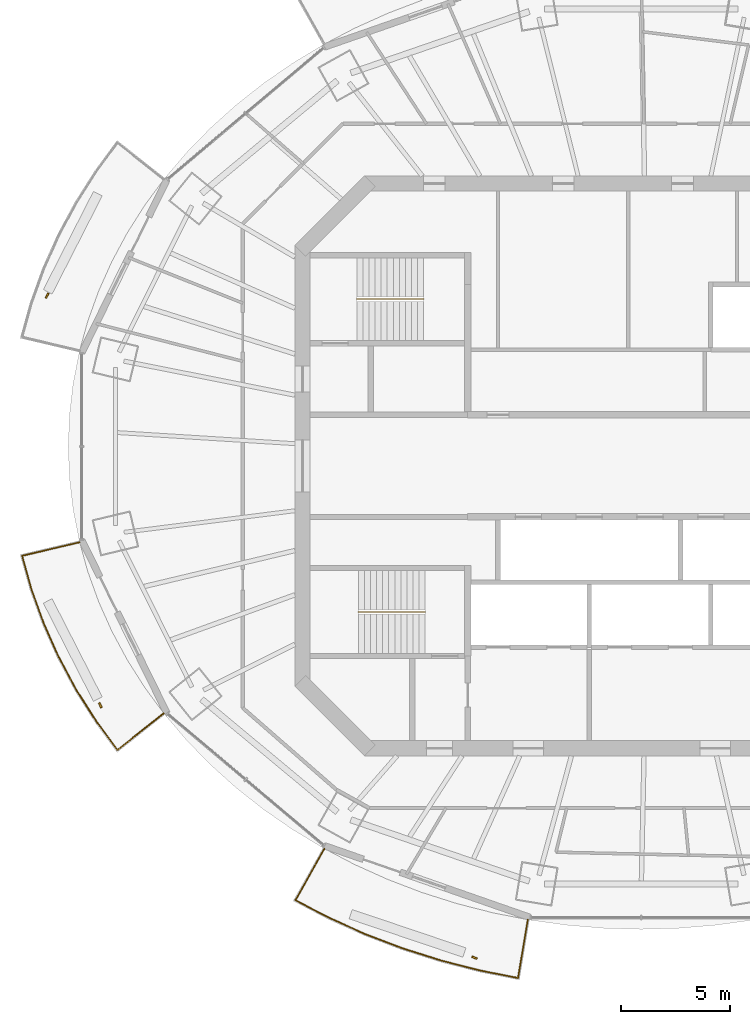
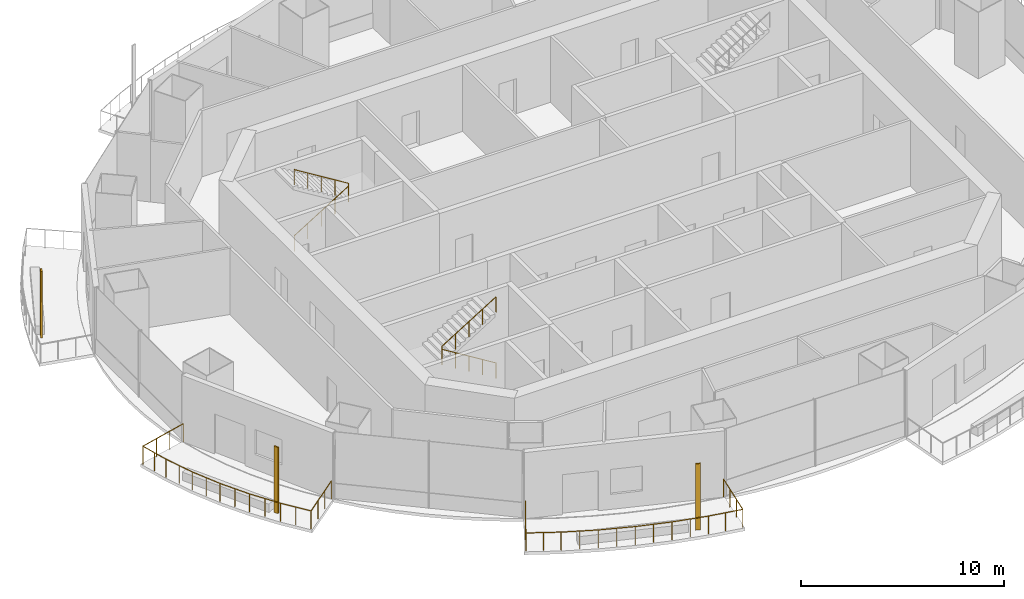
# One storey, part 12 of 16: 4 railings, 3 shading devices.
"""IFC4 building model written with IfcOpenShell, lengths in metres."""

import ifcopenshell
import ifcopenshell.guid

model = None  # the IFC model being written
_history = None  # IfcOwnerHistory: only IFC2X3 demands one
_inside = {}  # id of a spatial element -> (the spatial element, [elements in it])
_under = {}  # id of a project, library or spatial element -> (it, [spatial elements below it])
_declared = {}  # id of a project -> (the project, [libraries it declares])
_typed = {}  # id of a type object -> (the type object, [elements of that type])
_made_of = {}  # id of a material, layer set ... -> (it, [elements and type objects made of it])


def new_model(schema):
    """Start an empty IFC model of exactly this schema.

    Asked for "IFC4X3", IfcOpenShell would pick the latest addendum, in which some entities
    have other attributes; the version numbers below select the first issue.
    IFC2X3 requires an IfcOwnerHistory on every rooted entity: one is made here for all.
    """
    global model, _history
    if schema == "IFC4X3":
        model = ifcopenshell.file(schema_version=(4, 3, 0, 0))
    else:
        model = ifcopenshell.file(schema=schema)
    _inside.clear()
    _under.clear()
    _declared.clear()
    _typed.clear()
    _made_of.clear()
    _history = None
    if model.schema == "IFC2X3":
        org = make("IfcOrganization", Name="unknown")
        user = make(
            "IfcPersonAndOrganization",
            ThePerson=make("IfcPerson", FamilyName="unknown"),
            TheOrganization=org,
        )
        app = make(
            "IfcApplication",
            ApplicationDeveloper=org,
            Version="unknown",
            ApplicationFullName="unknown",
            ApplicationIdentifier="unknown",
        )
        _history = make(
            "IfcOwnerHistory",
            OwningUser=user,
            OwningApplication=app,
            ChangeAction="ADDED",
            CreationDate=0,
        )
    return model


def make(cls, **values):
    """One entity of the class cls with the attributes given. An attribute that is None is left unset."""
    return model.create_entity(
        cls, **{name: value for name, value in values.items() if value is not None}
    )


def rooted(cls, **values):
    """An entity with a GlobalId (a new one), such as an element, a storey or a relation."""
    return make(cls, GlobalId=ifcopenshell.guid.new(), OwnerHistory=_history, **values)


def si_unit(unit_type, name, prefix=None):
    """IfcSIUnit, for example si_unit("LENGTHUNIT", "METRE", prefix="MILLI")."""
    return make("IfcSIUnit", UnitType=unit_type, Prefix=prefix, Name=name)


def assignment(units):
    """IfcUnitAssignment: the units of a project."""
    return None if units is None else make("IfcUnitAssignment", Units=units)


def point(xyz):
    """IfcCartesianPoint."""
    return None if xyz is None else make("IfcCartesianPoint", Coordinates=xyz)


def direction(xyz):
    """IfcDirection."""
    return None if xyz is None else make("IfcDirection", DirectionRatios=xyz)


def frame(location, z_axis=None, x_axis=None):
    """IfcAxis2Placement3D, a coordinate frame: its origin and axes. An axis left out is left unset."""
    return make(
        "IfcAxis2Placement3D",
        Location=point(location),
        Axis=direction(z_axis),
        RefDirection=direction(x_axis),
    )


def frame_2d(location, x_axis=None):
    """IfcAxis2Placement2D, a coordinate frame in the plane: its origin and x axis."""
    return make(
        "IfcAxis2Placement2D", Location=point(location), RefDirection=direction(x_axis)
    )


def origin():
    """The frame at (0, 0, 0) with its axes left unset."""
    return frame((0.0, 0.0, 0.0))


def origin_2d():
    """The frame at (0, 0) in the plane with its x axis left unset."""
    return frame_2d((0.0, 0.0))


def place(relative_to, where):
    """IfcLocalPlacement: puts the frame where relative to a parent placement (None: the world)."""
    return make(
        "IfcLocalPlacement", PlacementRelTo=relative_to, RelativePlacement=where
    )


def context(
    kind, dimensions, precision=None, world=None, true_north=None, identifier=None
):
    """IfcGeometricRepresentationContext, for example the 3D "Model" context."""
    return make(
        "IfcGeometricRepresentationContext",
        ContextIdentifier=identifier,
        ContextType=kind,
        CoordinateSpaceDimension=dimensions,
        Precision=precision,
        WorldCoordinateSystem=world,
        TrueNorth=true_north,
    )


def subcontext(parent, identifier, kind, view, scale=None):
    """IfcGeometricRepresentationSubContext, for example "Body" below "Model"."""
    return make(
        "IfcGeometricRepresentationSubContext",
        ContextIdentifier=identifier,
        ContextType=kind,
        ParentContext=parent,
        TargetScale=scale,
        TargetView=view,
    )


def project(units=None, contexts=None):
    """IfcProject with its units and contexts."""
    return rooted(
        "IfcProject",
        Name="project",
        RepresentationContexts=contexts,
        UnitsInContext=assignment(units),
    )


def spatial(cls, under=None, at=None, **own):
    """A site, building, storey or space (cls), placed at a placement, below another one or the project."""
    s = rooted(cls, ObjectPlacement=at, **own)
    if under is not None:
        _under.setdefault(under.id(), (under, []))[1].append(s)
    return s


def profile(cls, at=None, kind="AREA", **sizes):
    """A parametric profile (cls). Its sizes go by their IFC names, for example OverallWidth=200.0."""
    return make(cls, ProfileType=kind, Position=at, **sizes)


def rectangle(**sizes):
    """IfcRectangleProfileDef."""
    return profile("IfcRectangleProfileDef", **sizes)


def circle(**sizes):
    """IfcCircleProfileDef."""
    return profile("IfcCircleProfileDef", **sizes)


def extrude(swept, where, along, depth):
    """IfcExtrudedAreaSolid: the profile swept, set in the frame where, extruded along a direction by depth."""
    return make(
        "IfcExtrudedAreaSolid",
        SweptArea=swept,
        Position=where,
        ExtrudedDirection=direction(along),
        Depth=depth,
    )


def shape(context_of_items, identifier, shape_type, items):
    """IfcShapeRepresentation: the items that make up one representation, for example the "Body"."""
    return make(
        "IfcShapeRepresentation",
        ContextOfItems=context_of_items,
        RepresentationIdentifier=identifier,
        RepresentationType=shape_type,
        Items=items,
    )


def material(Name=None, Category=None):
    """IfcMaterial."""
    return make("IfcMaterial", Name=Name, Category=Category)


def material_profile(
    of_material, cross_section, Name=None, Category=None, Priority=None
):
    """IfcMaterialProfile: a cross section and its material."""
    return make(
        "IfcMaterialProfile",
        Name=Name,
        Material=of_material,
        Profile=cross_section,
        Priority=Priority,
        Category=Category,
    )


def profile_set(profiles, Name=None, composite=None):
    """IfcMaterialProfileSet."""
    return make(
        "IfcMaterialProfileSet",
        Name=Name,
        MaterialProfiles=profiles,
        CompositeProfile=composite,
    )


def made_of(thing, what):
    """Note that an element or type object is made of a material, layer set ...; save() writes the relation."""
    if what is not None:
        _made_of.setdefault(what.id(), (what, []))[1].append(thing)
    return thing


def type_object(cls, material=None, **own):
    """A type object (cls), such as IfcWallType, which elements share."""
    return made_of(rooted(cls, **own), material)


def element(
    cls,
    number,
    at=None,
    inside=None,
    cuts=None,
    type_object=None,
    material=None,
    context=None,
    identifier="Body",
    shape_type=None,
    held_by="IfcProductDefinitionShape",
    body=None,
    shapes=None,
    **own,
):
    """One element of the class cls, such as IfcWall. Its Tag is "e" and its number.

    at: its placement. inside: the storey or other place that contains it. cuts: it is an
    opening in that element (IfcRelVoidsElement). A single representation is given by context,
    identifier, shape_type and body (its items); several are given by shapes. held_by: the class
    of the entity that holds the representations. save() writes the other relations.
    """
    e = rooted(cls, Tag="e%d" % number, ObjectPlacement=at, **own)
    if body is not None:
        shapes = [shape(context, identifier, shape_type, body)]
    if shapes is not None:
        e.Representation = make(held_by, Representations=shapes)
    if inside is not None:
        _inside.setdefault(inside.id(), (inside, []))[1].append(e)
    if cuts is not None:
        rooted(
            "IfcRelVoidsElement", RelatingBuildingElement=cuts, RelatedOpeningElement=e
        )
    if type_object is not None:
        _typed.setdefault(type_object.id(), (type_object, []))[1].append(e)
    return made_of(e, material)


def aggregate(whole, parts):
    """IfcRelAggregates: a whole, such as a stair, and the parts it consists of."""
    return rooted("IfcRelAggregates", RelatingObject=whole, RelatedObjects=parts)


def save(model, path):
    """Write the relations noted so far, then the file.

    IfcRelAggregates (storeys below a building ...), IfcRelContainedInSpatialStructure (elements
    in a storey), IfcRelDefinesByType, IfcRelAssociatesMaterial and IfcRelDeclares: one each for
    every whole, place, type object, material and project.
    """
    for whole, parts in _under.values():
        aggregate(whole, parts)
    for where, things in _inside.values():
        rooted(
            "IfcRelContainedInSpatialStructure",
            RelatedElements=things,
            RelatingStructure=where,
        )
    for kind, things in _typed.values():
        rooted("IfcRelDefinesByType", RelatedObjects=things, RelatingType=kind)
    for what, things in _made_of.values():
        rooted("IfcRelAssociatesMaterial", RelatedObjects=things, RelatingMaterial=what)
    for by, libraries in _declared.values():
        rooted("IfcRelDeclares", RelatingContext=by, RelatedDefinitions=libraries)
    model.write(path)


model = new_model("IFC4")

# Units and contexts
model_context = context("Model", 3, precision=1e-05, world=origin(), true_north=direction((0.0, 1.0)))
body_context = subcontext(model_context, "Body", "Model", "MODEL_VIEW")
ifc_project = project(units=[si_unit("LENGTHUNIT", "METRE"), si_unit("AREAUNIT", "SQUARE_METRE"), si_unit("VOLUMEUNIT", "CUBIC_METRE"), si_unit("PLANEANGLEUNIT", "RADIAN"), si_unit("MASSUNIT", "GRAM", prefix="KILO")], contexts=[model_context])

# Site, building, storey
site_placement = place(None, origin())
site = spatial("IfcSite", under=ifc_project, at=site_placement, CompositionType="ELEMENT")
building_placement = place(site_placement, origin())
building = spatial("IfcBuilding", under=site, at=building_placement, Name="Marenthal Gate Tower", CompositionType="ELEMENT")
storey_placement = place(building_placement, frame((0.0, 0.0, 359.199951171875)))
storey = spatial("IfcBuildingStorey", under=building, at=storey_placement, Name="L81", CompositionType="ELEMENT", Elevation=359.199951171875)

# Railings
ifc_material_1 = material(Name="Stainless steel", Category="steel")
railing_type_1 = type_object("IfcRailingType", Name="Balcony guard 1100", PredefinedType="GUARDRAIL", material=ifc_material_1)
railing_1_placement = place(storey_placement, frame((-22.387939453125, -11.38818359375, 0.0)))
element("IfcRailing", 1, at=railing_1_placement, inside=storey, type_object=railing_type_1, Name="Balcony guard L81 bay 9", PredefinedType="GUARDRAIL", context=body_context, shape_type="SweptSolid", body=[
    extrude(circle(Radius=0.02392578125, at=origin_2d()), frame((0.0, 0.0, 1.076171875), z_axis=(-0.783769769253, -0.620877048402, -0.014718681113), x_axis=(0.6209443126, -0.783854680824, 0.0)), (0.0, 0.0, 1.0), 2.72021484375),
    extrude(circle(Radius=0.02392578125, at=origin_2d()), frame((-2.132080078125, -1.68896484375, 1.0361328125), z_axis=(-0.59246977966, 0.805592676351, 0.0), x_axis=(-0.805592676351, -0.59246977966, 0.0)), (0.0, 0.0, 1.0), 1.64501953125),
    extrude(circle(Radius=0.02392578125, at=origin_2d()), frame((-3.106689453125, -0.36376953125, 1.0361328125), z_axis=(-0.535611442073, 0.844464554093, 0.0), x_axis=(-0.844464554093, -0.535611442073, 0.0)), (0.0, 0.0, 1.0), 1.712890625),
    extrude(circle(Radius=0.02392578125, at=origin_2d()), frame((-4.024169921875, 1.082763671875, 1.0361328125), z_axis=(-0.473526582877, 0.880779527072, 0.0), x_axis=(-0.880779527072, -0.473526582877, 0.0)), (0.0, 0.0, 1.0), 1.701904296875),
    extrude(circle(Radius=0.02392578125, at=origin_2d()), frame((-4.830078125, 2.581787109375, 1.0361328125), z_axis=(-0.407891440558, 0.913030433622, 0.0), x_axis=(-0.913030433622, -0.407891440558, 0.0)), (0.0, 0.0, 1.0), 1.692138671875),
    extrude(circle(Radius=0.02392578125, at=origin_2d()), frame((-5.520263671875, 4.126708984375, 1.0361328125), z_axis=(-0.338585961957, 0.940935463443, 0.0), x_axis=(-0.940935463443, -0.338585961957, 0.0)), (0.0, 0.0, 1.0), 1.68359375),
    extrude(circle(Radius=0.02392578125, at=origin_2d()), frame((-6.09033203125, 5.7109375, 1.0361328125), z_axis=(-0.268495452575, 0.96328095172, 0.0), x_axis=(-0.96328095172, -0.268495452575, 0.0)), (0.0, 0.0, 1.0), 1.5966796875),
    extrude(circle(Radius=0.02392578125, at=origin_2d()), frame((-6.51904296875, 7.2490234375, 1.0361328125), z_axis=(0.973202156383, 0.229479704341, 0.014718291557), x_axis=(-0.229504564257, 0.973307584983, 0.0)), (0.0, 0.0, 1.0), 2.720458984375),
    extrude(circle(Radius=0.02099609375, at=origin_2d()), origin(), (0.0, 0.0, 1.0), 1.052001953125),
    extrude(circle(Radius=0.02099609375, at=origin_2d()), frame((-0.710693359375, -0.56298828125, -0.013427734375)), (0.0, 0.0, 1.0), 1.052001953125),
    extrude(circle(Radius=0.02099609375, at=origin_2d()), frame((-1.42138671875, -1.1259765625, -0.026611328125)), (0.0, 0.0, 1.0), 1.052001953125),
    extrude(circle(Radius=0.02099609375, at=origin_2d()), frame((-2.132080078125, -1.68896484375, -0.0400390625)), (0.0, 0.0, 1.0), 1.052001953125),
    extrude(circle(Radius=0.02099609375, at=origin_2d()), frame((-2.619384765625, -1.0263671875, -0.0400390625)), (0.0, 0.0, 1.0), 1.052001953125),
    extrude(circle(Radius=0.02099609375, at=origin_2d()), frame((-3.106689453125, -0.36376953125, -0.0400390625)), (0.0, 0.0, 1.0), 1.052001953125),
    extrude(circle(Radius=0.02099609375, at=origin_2d()), frame((-3.5654296875, 0.359375, -0.0400390625)), (0.0, 0.0, 1.0), 1.052001953125),
    extrude(circle(Radius=0.02099609375, at=origin_2d()), frame((-4.024169921875, 1.082763671875, -0.0400390625)), (0.0, 0.0, 1.0), 1.052001953125),
    extrude(circle(Radius=0.02099609375, at=origin_2d()), frame((-4.42724609375, 1.832275390625, -0.0400390625)), (0.0, 0.0, 1.0), 1.052001953125),
    extrude(circle(Radius=0.02099609375, at=origin_2d()), frame((-4.830078125, 2.581787109375, -0.0400390625)), (0.0, 0.0, 1.0), 1.052001953125),
    extrude(circle(Radius=0.02099609375, at=origin_2d()), frame((-5.17529296875, 3.354248046875, -0.0400390625)), (0.0, 0.0, 1.0), 1.052001953125),
    extrude(circle(Radius=0.02099609375, at=origin_2d()), frame((-5.520263671875, 4.126708984375, -0.0400390625)), (0.0, 0.0, 1.0), 1.052001953125),
    extrude(circle(Radius=0.02099609375, at=origin_2d()), frame((-5.80517578125, 4.9189453125, -0.0400390625)), (0.0, 0.0, 1.0), 1.052001953125),
    extrude(circle(Radius=0.02099609375, at=origin_2d()), frame((-6.09033203125, 5.7109375, -0.0400390625)), (0.0, 0.0, 1.0), 1.052001953125),
    extrude(circle(Radius=0.02099609375, at=origin_2d()), frame((-6.3046875, 6.47998046875, -0.0400390625)), (0.0, 0.0, 1.0), 1.052001953125),
    extrude(circle(Radius=0.02099609375, at=origin_2d()), frame((-6.51904296875, 7.2490234375, -0.0400390625)), (0.0, 0.0, 1.0), 1.052001953125),
    extrude(circle(Radius=0.02099609375, at=origin_2d()), frame((-5.636474609375, 7.45703125, -0.026611328125)), (0.0, 0.0, 1.0), 1.052001953125),
    extrude(circle(Radius=0.02099609375, at=origin_2d()), frame((-4.754150390625, 7.665283203125, -0.013427734375)), (0.0, 0.0, 1.0), 1.052001953125),
    extrude(circle(Radius=0.02099609375, at=origin_2d()), frame((-3.87158203125, 7.873291015625, 0.0)), (0.0, 0.0, 1.0), 1.052001953125),
])
railing_2_placement = place(storey_placement, frame((-5.62646484375, -20.890625, 0.0)))
element("IfcRailing", 2, at=railing_2_placement, inside=storey, type_object=railing_type_1, Name="Balcony guard L81 bay 11", PredefinedType="GUARDRAIL", context=body_context, shape_type="SweptSolid", body=[
    extrude(circle(Radius=0.02392578125, at=origin_2d()), frame((0.0, 0.0, 1.076171875), z_axis=(-0.165414456926, -0.986114290962, -0.01471946334), x_axis=(0.986221135368, -0.165432379401, 0.0)), (0.0, 0.0, 1.0), 2.72021484375),
    extrude(circle(Radius=0.02392578125, at=origin_2d()), frame((-0.449951171875, -2.682373046875, 1.0361328125), z_axis=(-0.981004256117, 0.193986209508, 0.0), x_axis=(-0.193986209508, -0.981004256117, 0.0)), (0.0, 0.0, 1.0), 1.785888671875),
    extrude(circle(Radius=0.02392578125, at=origin_2d()), frame((-2.201904296875, -2.3359375, 1.0361328125), z_axis=(-0.968854736133, 0.247629764514, 0.0), x_axis=(-0.247629764514, -0.968854736133, 0.0)), (0.0, 0.0, 1.0), 1.859375),
    extrude(circle(Radius=0.02392578125, at=origin_2d()), frame((-4.00341796875, -1.87548828125, 1.0361328125), z_axis=(-0.953199116145, 0.302343256879, 0.0), x_axis=(-0.302343256879, -0.953199116145, 0.0)), (0.0, 0.0, 1.0), 1.850830078125),
    extrude(circle(Radius=0.02392578125, at=origin_2d()), frame((-5.767578125, -1.31591796875, 1.0361328125), z_axis=(-0.934231239104, 0.35666790139, 0.0), x_axis=(-0.35666790139, -0.934231239104, 0.0)), (0.0, 0.0, 1.0), 1.84130859375),
    extrude(circle(Radius=0.02392578125, at=origin_2d()), frame((-7.48779296875, -0.6591796875, 1.0361328125), z_axis=(-0.911781695063, 0.410675225146, 0.0), x_axis=(-0.410675225146, -0.911781695063, 0.0)), (0.0, 0.0, 1.0), 1.830322265625),
    extrude(circle(Radius=0.02392578125, at=origin_2d()), frame((-9.15673828125, 0.092529296875, 1.0361328125), z_axis=(-0.886397005833, 0.462925855889, 0.0), x_axis=(-0.462925855889, -0.886397005833, 0.0)), (0.0, 0.0, 1.0), 1.73876953125),
    extrude(circle(Radius=0.02392578125, at=origin_2d()), frame((-10.697998046875, 0.8974609375, 1.0361328125), z_axis=(0.490915294113, 0.871082969774, 0.014718484138), x_axis=(-0.871177338103, 0.490968477171, 0.0)), (0.0, 0.0, 1.0), 2.72021484375),
    extrude(circle(Radius=0.02099609375, at=origin_2d()), origin(), (0.0, 0.0, 1.0), 1.052001953125),
    extrude(circle(Radius=0.02099609375, at=origin_2d()), frame((-0.14990234375, -0.89404296875, -0.013427734375)), (0.0, 0.0, 1.0), 1.052001953125),
    extrude(circle(Radius=0.02099609375, at=origin_2d()), frame((-0.300048828125, -1.788330078125, -0.026611328125)), (0.0, 0.0, 1.0), 1.052001953125),
    extrude(circle(Radius=0.02099609375, at=origin_2d()), frame((-0.449951171875, -2.682373046875, -0.0400390625)), (0.0, 0.0, 1.0), 1.052001953125),
    extrude(circle(Radius=0.02099609375, at=origin_2d()), frame((-1.325927734375, -2.50927734375, -0.0400390625)), (0.0, 0.0, 1.0), 1.052001953125),
    extrude(circle(Radius=0.02099609375, at=origin_2d()), frame((-2.201904296875, -2.3359375, -0.0400390625)), (0.0, 0.0, 1.0), 1.052001953125),
    extrude(circle(Radius=0.02099609375, at=origin_2d()), frame((-3.1025390625, -2.105712890625, -0.0400390625)), (0.0, 0.0, 1.0), 1.052001953125),
    extrude(circle(Radius=0.02099609375, at=origin_2d()), frame((-4.00341796875, -1.87548828125, -0.0400390625)), (0.0, 0.0, 1.0), 1.052001953125),
    extrude(circle(Radius=0.02099609375, at=origin_2d()), frame((-4.885498046875, -1.595703125, -0.0400390625)), (0.0, 0.0, 1.0), 1.052001953125),
    extrude(circle(Radius=0.02099609375, at=origin_2d()), frame((-5.767578125, -1.31591796875, -0.0400390625)), (0.0, 0.0, 1.0), 1.052001953125),
    extrude(circle(Radius=0.02099609375, at=origin_2d()), frame((-6.627685546875, -0.987548828125, -0.0400390625)), (0.0, 0.0, 1.0), 1.052001953125),
    extrude(circle(Radius=0.02099609375, at=origin_2d()), frame((-7.48779296875, -0.6591796875, -0.0400390625)), (0.0, 0.0, 1.0), 1.052001953125),
    extrude(circle(Radius=0.02099609375, at=origin_2d()), frame((-8.322265625, -0.283203125, -0.0400390625)), (0.0, 0.0, 1.0), 1.052001953125),
    extrude(circle(Radius=0.02099609375, at=origin_2d()), frame((-9.15673828125, 0.092529296875, -0.0400390625)), (0.0, 0.0, 1.0), 1.052001953125),
    extrude(circle(Radius=0.02099609375, at=origin_2d()), frame((-9.92724609375, 0.4951171875, -0.0400390625)), (0.0, 0.0, 1.0), 1.052001953125),
    extrude(circle(Radius=0.02099609375, at=origin_2d()), frame((-10.697998046875, 0.8974609375, -0.0400390625)), (0.0, 0.0, 1.0), 1.052001953125),
    extrude(circle(Radius=0.02099609375, at=origin_2d()), frame((-10.2529296875, 1.687255859375, -0.026611328125)), (0.0, 0.0, 1.0), 1.052001953125),
    extrude(circle(Radius=0.02099609375, at=origin_2d()), frame((-9.8076171875, 2.477294921875, -0.013427734375)), (0.0, 0.0, 1.0), 1.052001953125),
    extrude(circle(Radius=0.02099609375, at=origin_2d()), frame((-9.362548828125, 3.26708984375, 0.0)), (0.0, 0.0, 1.0), 1.052001953125),
])
ifc_material_2 = material(Name="Stainless steel", Category="steel")
railing_type_2 = type_object("IfcRailingType", Name="Stair handrail", PredefinedType="HANDRAIL", material=ifc_material_2)
railing_3_placement = place(storey_placement, frame((-13.5, 7.675048828125, 0.1728515625)))
element("IfcRailing", 3, at=railing_3_placement, inside=storey, type_object=railing_type_2, Name="Handrail ST1", PredefinedType="HANDRAIL", context=body_context, shape_type="SweptSolid", body=[
    extrude(circle(Radius=0.0224609375, at=origin_2d()), frame((0.0, 0.0, 0.927490234375), z_axis=(0.850835241893, 0.0, 0.525432575268), x_axis=(0.0, 1.0, 0.0)), (0.0, 0.0, 1.0), 3.6201171875),
    extrude(circle(Radius=0.0224609375, at=origin_2d()), frame((3.080078125, 0.0, 2.82958984375), z_axis=(0.0, 0.0, 1.0), x_axis=(1.0, 0.0, 0.0)), (0.0, 0.0, 1.0), 0.173095703125),
    extrude(circle(Radius=0.0224609375, at=origin_2d()), frame((3.080078125, 0.0, 3.002685546875), z_axis=(-0.850835241893, 0.0, 0.525432575268), x_axis=(0.0, -1.0, 0.0)), (0.0, 0.0, 1.0), 3.6201171875),
    extrude(circle(Radius=0.02001953125, at=origin_2d()), origin(), (0.0, 0.0, 1.0), 0.905029296875),
    extrude(circle(Radius=0.02001953125, at=origin_2d()), frame((0.77001953125, 0.0, 0.4755859375)), (0.0, 0.0, 1.0), 0.905029296875),
    extrude(circle(Radius=0.02001953125, at=origin_2d()), frame((1.5400390625, 0.0, 0.951171875)), (0.0, 0.0, 1.0), 0.905029296875),
    extrude(circle(Radius=0.02001953125, at=origin_2d()), frame((2.31005859375, 0.0, 1.426513671875)), (0.0, 0.0, 1.0), 0.905029296875),
    extrude(circle(Radius=0.02001953125, at=origin_2d()), frame((3.080078125, 0.0, 1.902099609375)), (0.0, 0.0, 1.0), 0.905029296875),
    extrude(circle(Radius=0.02001953125, at=origin_2d()), frame((3.080078125, 0.0, 2.0751953125)), (0.0, 0.0, 1.0), 0.905029296875),
    extrude(circle(Radius=0.02001953125, at=origin_2d()), frame((2.31005859375, 0.0, 2.55078125)), (0.0, 0.0, 1.0), 0.905029296875),
    extrude(circle(Radius=0.02001953125, at=origin_2d()), frame((1.5400390625, 0.0, 3.0263671875)), (0.0, 0.0, 1.0), 0.905029296875),
    extrude(circle(Radius=0.02001953125, at=origin_2d()), frame((0.77001953125, 0.0, 3.501708984375)), (0.0, 0.0, 1.0), 0.905029296875),
    extrude(circle(Radius=0.02001953125, at=origin_2d()), frame((0.0, 0.0, 3.977294921875)), (0.0, 0.0, 1.0), 0.905029296875),
])
railing_4_placement = place(storey_placement, frame((-10.35009765625, -6.72509765625, 0.1728515625)))
element("IfcRailing", 4, at=railing_4_placement, inside=storey, type_object=railing_type_2, Name="Handrail ST2", PredefinedType="HANDRAIL", context=body_context, shape_type="SweptSolid", body=[
    extrude(circle(Radius=0.0224609375, at=origin_2d()), frame((0.0, 0.0, 0.927490234375), z_axis=(-0.850816621229, 0.0, 0.525462726595), x_axis=(0.0, -1.0, 0.0)), (0.0, 0.0, 1.0), 3.619873046875),
    extrude(circle(Radius=0.0224609375, at=origin_2d()), frame((-3.079833984375, 0.0, 2.82958984375), z_axis=(0.0, 0.0, 1.0), x_axis=(1.0, 0.0, 0.0)), (0.0, 0.0, 1.0), 0.173095703125),
    extrude(circle(Radius=0.0224609375, at=origin_2d()), frame((-3.079833984375, 0.0, 3.002685546875), z_axis=(0.850816621229, 0.0, 0.525462726595), x_axis=(0.0, 1.0, 0.0)), (0.0, 0.0, 1.0), 3.619873046875),
    extrude(circle(Radius=0.02001953125, at=origin_2d()), origin(), (0.0, 0.0, 1.0), 0.905029296875),
    extrude(circle(Radius=0.02001953125, at=origin_2d()), frame((-0.77001953125, 0.0, 0.4755859375)), (0.0, 0.0, 1.0), 0.905029296875),
    extrude(circle(Radius=0.02001953125, at=origin_2d()), frame((-1.5400390625, 0.0, 0.951171875)), (0.0, 0.0, 1.0), 0.905029296875),
    extrude(circle(Radius=0.02001953125, at=origin_2d()), frame((-2.309814453125, 0.0, 1.426513671875)), (0.0, 0.0, 1.0), 0.905029296875),
    extrude(circle(Radius=0.02001953125, at=origin_2d()), frame((-3.079833984375, 0.0, 1.902099609375)), (0.0, 0.0, 1.0), 0.905029296875),
    extrude(circle(Radius=0.02001953125, at=origin_2d()), frame((-3.079833984375, 0.0, 2.0751953125)), (0.0, 0.0, 1.0), 0.905029296875),
    extrude(circle(Radius=0.02001953125, at=origin_2d()), frame((-2.309814453125, 0.0, 2.55078125)), (0.0, 0.0, 1.0), 0.905029296875),
    extrude(circle(Radius=0.02001953125, at=origin_2d()), frame((-1.5400390625, 0.0, 3.0263671875)), (0.0, 0.0, 1.0), 0.905029296875),
    extrude(circle(Radius=0.02001953125, at=origin_2d()), frame((-0.77001953125, 0.0, 3.501708984375)), (0.0, 0.0, 1.0), 0.905029296875),
    extrude(circle(Radius=0.02001953125, at=origin_2d()), frame((0.0, 0.0, 3.977294921875)), (0.0, 0.0, 1.0), 0.905029296875),
])

# Shading devices
ifc_material_3 = material(Name="Terracotta", Category="masonry")
ifc_material_profile = material_profile(ifc_material_3, rectangle(XDim=0.25, YDim=0.080078125, at=origin_2d()), Name="Terracotta baguette 250x80")
ifc_profile_set = profile_set([ifc_material_profile], Name="Terracotta")
shading_device_type = type_object("IfcShadingDeviceType", Name="Terracotta BAGUETTE SCREEN 250x80", PredefinedType="USERDEFINED", material=ifc_profile_set)
for number, where, z_axis, x_axis, name in (
    (5, (-27.753662109375, 7.840576171875, -0.0400390625), (0.0, 0.0, 1.0), (-0.441063469926, -0.897475913603, 0.0), "Terracotta BAGUETTE L81 bay 7R"),
    (6, (-25.306640625, -11.02001953125, -0.0400390625), (0.0, 0.0, 1.0), (0.441063469926, -0.897475913603, 0.0), "Terracotta BAGUETTE L81 bay 9R"),
    (7, (-8.08203125, -22.63720703125, -0.0400390625), (0.0, 0.0, 1.0), (0.944118156364, -0.329607200807, 0.0), "Terracotta BAGUETTE L81 bay 11R"),
):
    element("IfcShadingDevice", number, at=place(storey_placement, frame(where, z_axis=z_axis, x_axis=x_axis)), inside=storey, type_object=shading_device_type, Name=name, ObjectType="BAGUETTE SCREEN", PredefinedType="USERDEFINED", context=body_context, shape_type="SweptSolid", body=[
        extrude(rectangle(XDim=0.25, YDim=0.080078125, at=origin_2d()), origin(), (0.0, 0.0, 1.0), 3.969970703125),
    ])

save(model, "model.ifc")
